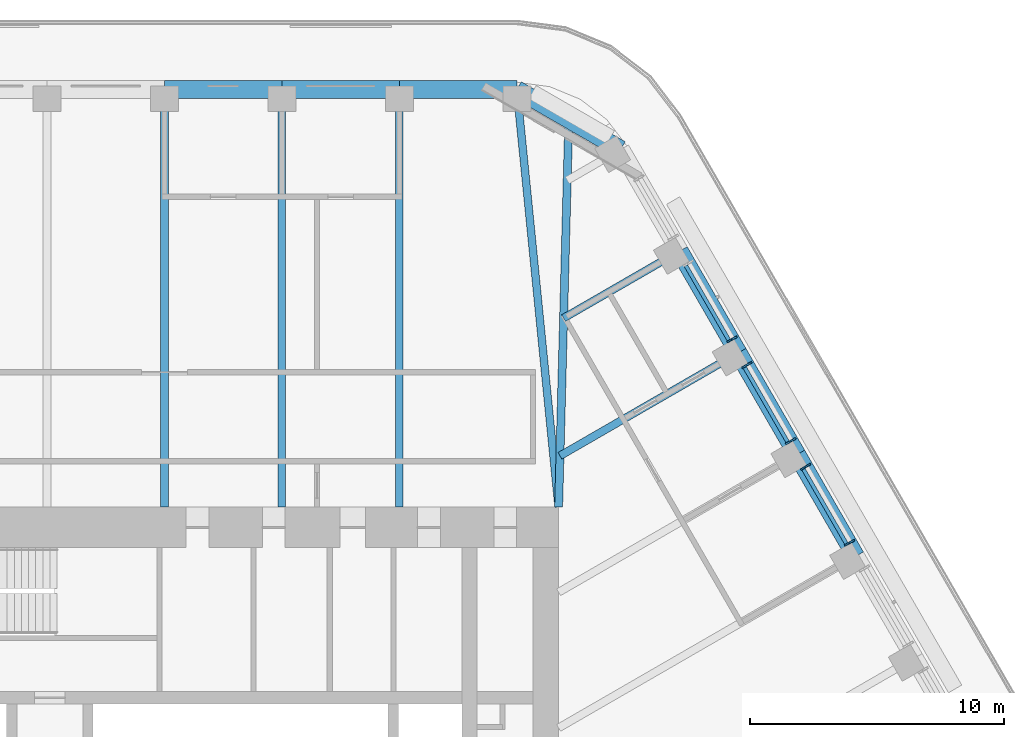
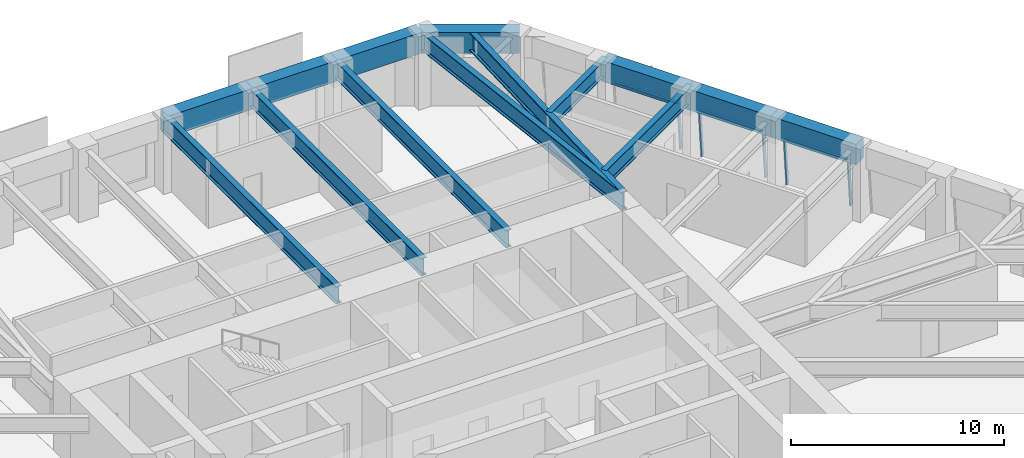
# One storey, part 11 of 20: 14 beams, 8 members, 3 elements without a shape of their own.
"""IFC4 building model written with IfcOpenShell, lengths in metres."""

from ifc_helpers import new_model, si_unit, direction, frame, origin, origin_2d, place, context, subcontext, project, spatial, rectangle, i_section, extrude, material, material_profile, profile_set, type_object, element, aggregate, save


model = new_model("IFC4")

# Units and contexts
model_context = context("Model", 3, precision=1e-05, world=origin(), true_north=direction((0.0, 1.0)))
body_context = subcontext(model_context, "Body", "Model", "MODEL_VIEW")
ifc_project = project(units=[si_unit("LENGTHUNIT", "METRE"), si_unit("AREAUNIT", "SQUARE_METRE"), si_unit("VOLUMEUNIT", "CUBIC_METRE"), si_unit("PLANEANGLEUNIT", "RADIAN"), si_unit("MASSUNIT", "GRAM", prefix="KILO")], contexts=[model_context])

# Site, building, storey
site_placement = place(None, origin())
site = spatial("IfcSite", under=ifc_project, at=site_placement, CompositionType="ELEMENT")
building_placement = place(site_placement, origin())
building = spatial("IfcBuilding", under=site, at=building_placement, Name="Tarfa Lantern Tower", CompositionType="ELEMENT")
storey_placement = place(building_placement, frame((0.0, 0.0, 291.10009765625)))
storey = spatial("IfcBuildingStorey", under=building, at=storey_placement, Name="L66", CompositionType="ELEMENT", Elevation=291.10009765625)

# Curtain wall, members
ifc_material_1 = material(Name="Aluminium framed curtain wall", Category="aluminium")
curtain_wall_type = type_object("IfcCurtainWallType", Name="CW3 CANTED GLAZING HIGH ZONE 2800", PredefinedType="USERDEFINED", material=ifc_material_1)
curtain_wall_1_placement = place(storey_placement, origin())
curtain_wall_1 = element("IfcCurtainWall", 1, at=curtain_wall_1_placement, inside=storey, type_object=curtain_wall_type, Name="CW3 NE L66", ObjectType="CURTAIN WALL", PredefinedType="USERDEFINED")
ifc_material_2 = material(Name="Aluminium mullion", Category="aluminium")
ifc_material_profile_1 = material_profile(ifc_material_2, rectangle(XDim=0.06494140625, YDim=0.199951171875, at=origin_2d()), Name="AL MULLION 65x200")
ifc_profile_set_1 = profile_set([ifc_material_profile_1], Name="Aluminium mullion")
member_type_1 = type_object("IfcMemberType", Name="CWM1 MULLION 65x200", PredefinedType="MULLION", material=ifc_profile_set_1)
member_1_placement = place(storey_placement, frame((27.04638671875, 10.954345703125, 0.0), z_axis=(-0.077039050765, -0.044468989844, 0.996035889715), x_axis=(0.499919672301, -0.866071776036, 0.0)))
member_1 = element("IfcMember", 2, at=member_1_placement, type_object=member_type_1, Name="CW3 mullion 1", PredefinedType="MULLION", context=body_context, shape_type="SweptSolid", body=[
    extrude(rectangle(XDim=0.06494140625, YDim=0.199951171875, at=origin_2d()), origin(), (0.0, 0.0, 1.0), 2.81103515625),
])
member_2_placement = place(storey_placement, frame((25.3193359375, 13.945556640625, 0.0), z_axis=(-0.077039050765, -0.044468989844, 0.996035889715), x_axis=(0.499919672301, -0.866071776036, 0.0)))
member_2 = element("IfcMember", 3, at=member_2_placement, type_object=member_type_1, Name="CW3 mullion 2", PredefinedType="MULLION", context=body_context, shape_type="SweptSolid", body=[
    extrude(rectangle(XDim=0.06494140625, YDim=0.199951171875, at=origin_2d()), origin(), (0.0, 0.0, 1.0), 2.81103515625),
])

curtain_wall_2_placement = place(storey_placement, origin())
curtain_wall_2 = element("IfcCurtainWall", 4, at=curtain_wall_2_placement, inside=storey, type_object=curtain_wall_type, Name="CW3 NE L66", ObjectType="CURTAIN WALL", PredefinedType="USERDEFINED")
member_3_placement = place(storey_placement, frame((24.73681640625, 14.954345703125, 0.0), z_axis=(-0.077039050765, -0.044468989844, 0.996035889715), x_axis=(0.499919672301, -0.866071776036, 0.0)))
member_3 = element("IfcMember", 5, at=member_3_placement, type_object=member_type_1, Name="CW3 mullion 1", PredefinedType="MULLION", context=body_context, shape_type="SweptSolid", body=[
    extrude(rectangle(XDim=0.06494140625, YDim=0.199951171875, at=origin_2d()), origin(), (0.0, 0.0, 1.0), 2.81103515625),
])
member_4_placement = place(storey_placement, frame((23.010009765625, 17.945556640625, 0.0), z_axis=(-0.077039050765, -0.044468989844, 0.996035889715), x_axis=(0.499919672301, -0.866071776036, 0.0)))
member_4 = element("IfcMember", 6, at=member_4_placement, type_object=member_type_1, Name="CW3 mullion 2", PredefinedType="MULLION", context=body_context, shape_type="SweptSolid", body=[
    extrude(rectangle(XDim=0.06494140625, YDim=0.199951171875, at=origin_2d()), origin(), (0.0, 0.0, 1.0), 2.81103515625),
])

# Curtain wall, member
curtain_wall_3_placement = place(storey_placement, origin())
curtain_wall_3 = element("IfcCurtainWall", 7, at=curtain_wall_3_placement, inside=storey, type_object=curtain_wall_type, Name="CW3 NE L66", ObjectType="CURTAIN WALL", PredefinedType="USERDEFINED")
member_5_placement = place(storey_placement, frame((22.427490234375, 18.954345703125, 0.0), z_axis=(-0.077039050765, -0.044468989844, 0.996035889715), x_axis=(0.499919672301, -0.866071776036, 0.0)))
member_5 = element("IfcMember", 8, at=member_5_placement, type_object=member_type_1, Name="CW3 mullion 1", PredefinedType="MULLION", context=body_context, shape_type="SweptSolid", body=[
    extrude(rectangle(XDim=0.06494140625, YDim=0.199951171875, at=origin_2d()), origin(), (0.0, 0.0, 1.0), 2.81103515625),
])

# Member
ifc_material_3 = material(Name="Aluminium transom", Category="aluminium")
ifc_material_profile_2 = material_profile(ifc_material_3, rectangle(XDim=0.14990234375, YDim=0.06494140625, at=origin_2d()), Name="AL TRANSOM 150x65")
ifc_profile_set_2 = profile_set([ifc_material_profile_2], Name="Aluminium transom")
member_type_2 = type_object("IfcMemberType", Name="CWT1 TRANSOM 150x65", PredefinedType="USERDEFINED", material=ifc_profile_set_2)
member_6_placement = place(storey_placement, frame((26.816162109375, 10.859130859375, 2.767333984375), z_axis=(-0.500036330578, 0.866004427299, 0.0), x_axis=(-0.866004427299, -0.500036330578, 0.0)))
member_6 = element("IfcMember", 9, at=member_6_placement, type_object=member_type_2, Name="CW3 transom 1.2", ObjectType="TRANSOM", PredefinedType="USERDEFINED", context=body_context, shape_type="SweptSolid", body=[
    extrude(rectangle(XDim=0.14990234375, YDim=0.06494140625, at=origin_2d()), origin(), (0.0, 0.0, 1.0), 3.388916015625),
])

aggregate(curtain_wall_1, [member_1, member_2, member_6])

member_7_placement = place(storey_placement, frame((24.506591796875, 14.859130859375, 2.767333984375), z_axis=(-0.499982299553, 0.866035622901, 0.0), x_axis=(-0.866035622901, -0.499982299553, 0.0)))
member_7 = element("IfcMember", 10, at=member_7_placement, type_object=member_type_2, Name="CW3 transom 1.2", ObjectType="TRANSOM", PredefinedType="USERDEFINED", context=body_context, shape_type="SweptSolid", body=[
    extrude(rectangle(XDim=0.14990234375, YDim=0.06494140625, at=origin_2d()), origin(), (0.0, 0.0, 1.0), 3.388671875),
])

aggregate(curtain_wall_2, [member_3, member_4, member_7])

member_8_placement = place(storey_placement, frame((22.197265625, 18.859130859375, 2.767333984375), z_axis=(-0.499982299553, 0.866035622901, 0.0), x_axis=(-0.866035622901, -0.499982299553, 0.0)))
member_8 = element("IfcMember", 11, at=member_8_placement, type_object=member_type_2, Name="CW3 transom 1.2", ObjectType="TRANSOM", PredefinedType="USERDEFINED", context=body_context, shape_type="SweptSolid", body=[
    extrude(rectangle(XDim=0.14990234375, YDim=0.06494140625, at=origin_2d()), origin(), (0.0, 0.0, 1.0), 3.388671875),
])

aggregate(curtain_wall_3, [member_5, member_8])

# Beams
ifc_material_4 = material(Name="Concrete C80/95", Category="concrete")
ifc_material_profile_3 = material_profile(ifc_material_4, rectangle(XDim=0.699951171875, YDim=1.199951171875, at=origin_2d()), Name="RC 700x1200")
ifc_profile_set_3 = profile_set([ifc_material_profile_3], Name="Concrete C80/95")
beam_type_1 = type_object("IfcBeamType", Name="EB3 RC 700x1200", PredefinedType="SPANDREL", material=ifc_profile_set_3)
beam_1_placement = place(storey_placement, frame((27.181640625, 10.360107421875, 3.39990234375), z_axis=(-0.499987836815, 0.866032426089, 0.0), x_axis=(-0.866032426089, -0.499987836815, 0.0)))
element("IfcBeam", 12, at=beam_1_placement, inside=storey, type_object=beam_type_1, Name="Edge beam NE2", PredefinedType="SPANDREL", context=body_context, shape_type="SweptSolid", body=[
    extrude(rectangle(XDim=0.699951171875, YDim=1.199951171875, at=origin_2d()), origin(), (0.0, 0.0, 1.0), 4.61865234375),
])
beam_2_placement = place(storey_placement, frame((24.872314453125, 14.360107421875, 3.39990234375), z_axis=(-0.500027479704, 0.866009537788, 0.0), x_axis=(-0.866009537788, -0.500027479704, 0.0)))
element("IfcBeam", 13, at=beam_2_placement, inside=storey, type_object=beam_type_1, Name="Edge beam NE3", PredefinedType="SPANDREL", context=body_context, shape_type="SweptSolid", body=[
    extrude(rectangle(XDim=0.699951171875, YDim=1.199951171875, at=origin_2d()), origin(), (0.0, 0.0, 1.0), 4.618896484375),
])
beam_3_placement = place(storey_placement, frame((22.562744140625, 18.360107421875, 3.39990234375), z_axis=(-0.499987836815, 0.866032426089, 0.0), x_axis=(-0.866032426089, -0.499987836815, 0.0)))
element("IfcBeam", 14, at=beam_3_placement, inside=storey, type_object=beam_type_1, Name="Edge beam NE4", PredefinedType="SPANDREL", context=body_context, shape_type="SweptSolid", body=[
    extrude(rectangle(XDim=0.699951171875, YDim=1.199951171875, at=origin_2d()), origin(), (0.0, 0.0, 1.0), 4.61865234375),
])
beam_4_placement = place(storey_placement, frame((17.944091796875, 26.360107421875, 3.39990234375), z_axis=(-0.866038294681, 0.499977671647, 0.0), x_axis=(-0.499977671647, -0.866038294681, 0.0)))
element("IfcBeam", 15, at=beam_4_placement, inside=storey, type_object=beam_type_1, Name="Edge beam NE6", PredefinedType="SPANDREL", context=body_context, shape_type="SweptSolid", body=[
    extrude(rectangle(XDim=0.699951171875, YDim=1.199951171875, at=origin_2d()), origin(), (0.0, 0.0, 1.0), 4.719970703125),
])
beam_5_placement = place(storey_placement, frame((13.8564453125, 28.719970703125, 3.39990234375), z_axis=(-1.0, 0.0, 0.0), x_axis=(0.0, -1.0, 0.0)))
element("IfcBeam", 16, at=beam_5_placement, inside=storey, type_object=beam_type_1, Name="Edge beam N0", PredefinedType="SPANDREL", context=body_context, shape_type="SweptSolid", body=[
    extrude(rectangle(XDim=0.699951171875, YDim=1.199951171875, at=origin_2d()), origin(), (0.0, 0.0, 1.0), 4.618896484375),
])
beam_6_placement = place(storey_placement, frame((9.237548828125, 28.719970703125, 3.39990234375), z_axis=(-1.0, 0.0, 0.0), x_axis=(0.0, -1.0, 0.0)))
element("IfcBeam", 17, at=beam_6_placement, inside=storey, type_object=beam_type_1, Name="Edge beam N1", PredefinedType="SPANDREL", context=body_context, shape_type="SweptSolid", body=[
    extrude(rectangle(XDim=0.699951171875, YDim=1.199951171875, at=origin_2d()), origin(), (0.0, 0.0, 1.0), 4.61865234375),
])
beam_7_placement = place(storey_placement, frame((4.618896484375, 28.719970703125, 3.39990234375), z_axis=(-1.0, 0.0, 0.0), x_axis=(0.0, -1.0, 0.0)))
element("IfcBeam", 18, at=beam_7_placement, inside=storey, type_object=beam_type_1, Name="Edge beam N2", PredefinedType="SPANDREL", context=body_context, shape_type="SweptSolid", body=[
    extrude(rectangle(XDim=0.699951171875, YDim=1.199951171875, at=origin_2d()), origin(), (0.0, 0.0, 1.0), 4.618896484375),
])
ifc_material_5 = material(Name="Steel S460M", Category="steel")
ifc_material_profile_4 = material_profile(ifc_material_5, i_section(OverallWidth=0.302001953125, OverallDepth=1.008056640625, WebThickness=0.02099609375, FlangeThickness=0.0400390625, FilletRadius=0.030029296875, at=origin_2d()), Name="UB1016x305x349")
ifc_profile_set_4 = profile_set([ifc_material_profile_4], Name="Steel S460M")
beam_type_2 = type_object("IfcBeamType", Name="UB1016x305x349", PredefinedType="BEAM", material=ifc_profile_set_4)
beam_8_placement = place(storey_placement, frame((13.8564453125, 28.719970703125, 3.495849609375), z_axis=(0.099597466746, -0.995027810977, 0.0), x_axis=(0.995027810977, 0.099597466746, 0.0)))
element("IfcBeam", 19, at=beam_8_placement, inside=storey, type_object=beam_type_2, Name="Floor beam N0", PredefinedType="BEAM", context=body_context, shape_type="SweptSolid", body=[
    extrude(i_section(OverallWidth=0.302001953125, OverallDepth=1.008056640625, WebThickness=0.02099609375, FlangeThickness=0.0400390625, FilletRadius=0.030029296875, at=origin_2d()), origin(), (0.0, 0.0, 1.0), 16.501953125),
])
for number, where, z_axis, x_axis, name in (
    (20, (9.237548828125, 28.719970703125, 3.495849609375), (0.0, -1.0, 0.0), (1.0, 0.0, 0.0), "Floor beam N1"),
    (21, (4.618896484375, 28.719970703125, 3.495849609375), (0.0, -1.0, 0.0), (1.0, 0.0, 0.0), "Floor beam N2"),
    (22, (0.0, 28.719970703125, 3.495849609375), (0.0, -1.0, 0.0), (1.0, 0.0, 0.0), "Floor beam N3"),
):
    element("IfcBeam", number, at=place(storey_placement, frame(where, z_axis=z_axis, x_axis=x_axis)), inside=storey, type_object=beam_type_2, Name=name, PredefinedType="BEAM", context=body_context, shape_type="SweptSolid", body=[
        extrude(i_section(OverallWidth=0.302001953125, OverallDepth=1.008056640625, WebThickness=0.02099609375, FlangeThickness=0.0400390625, FilletRadius=0.030029296875, at=origin_2d()), origin(), (0.0, 0.0, 1.0), 16.419921875),
    ])
ifc_material_profile_5 = material_profile(ifc_material_5, i_section(OverallWidth=0.314208984375, OverallDepth=1.055908203125, WebThickness=0.035888671875, FlangeThickness=0.06396484375, FilletRadius=0.030029296875, at=origin_2d()), Name="UB1016x305x584")
ifc_profile_set_5 = profile_set([ifc_material_profile_5], Name="Steel S460M")
beam_type_3 = type_object("IfcBeamType", Name="UB1016x305x584", PredefinedType="BEAM", material=ifc_profile_set_5)
beam_9_placement = place(storey_placement, frame((15.5, 12.300048828125, 3.471923828125), z_axis=(0.026247301989, 0.999655480222, 0.0), x_axis=(-0.999655480222, 0.026247301989, 0.0)))
element("IfcBeam", 23, at=beam_9_placement, inside=storey, type_object=beam_type_3, Name="Hip girder NE", PredefinedType="BEAM", context=body_context, shape_type="SweptSolid", body=[
    extrude(i_section(OverallWidth=0.314208984375, OverallDepth=1.055908203125, WebThickness=0.035888671875, FlangeThickness=0.06396484375, FilletRadius=0.030029296875, at=origin_2d()), origin(), (0.0, 0.0, 1.0), 15.245361328125),
])
ifc_material_profile_6 = material_profile(ifc_material_5, i_section(OverallWidth=0.305419921875, OverallDepth=0.91845703125, WebThickness=0.017333984375, FlangeThickness=0.02783203125, FilletRadius=0.01904296875, at=origin_2d()), Name="UB914x305x253")
ifc_profile_set_6 = profile_set([ifc_material_profile_6], Name="Steel S460M")
beam_type_4 = type_object("IfcBeamType", Name="UB914x305x253", PredefinedType="BEAM", material=ifc_profile_set_6)
beam_10_placement = place(storey_placement, frame((22.562744140625, 18.360107421875, 3.540771484375), z_axis=(-0.866010787764, -0.500025314835, 0.0), x_axis=(0.500025314835, -0.866010787764, 0.0)))
element("IfcBeam", 24, at=beam_10_placement, inside=storey, type_object=beam_type_4, Name="Floor beam NE4", PredefinedType="BEAM", context=body_context, shape_type="SweptSolid", body=[
    extrude(i_section(OverallWidth=0.305419921875, OverallDepth=0.91845703125, WebThickness=0.017333984375, FlangeThickness=0.02783203125, FilletRadius=0.01904296875, at=origin_2d()), origin(), (0.0, 0.0, 1.0), 8.09423828125),
])
beam_11_placement = place(storey_placement, frame((20.25341796875, 22.360107421875, 3.540771484375), z_axis=(-0.86601951648, -0.500010196972, 0.0), x_axis=(0.500010196972, -0.86601951648, 0.0)))
element("IfcBeam", 25, at=beam_11_placement, inside=storey, type_object=beam_type_4, Name="Floor beam NE5", PredefinedType="BEAM", context=body_context, shape_type="SweptSolid", body=[
    extrude(i_section(OverallWidth=0.305419921875, OverallDepth=0.91845703125, WebThickness=0.017333984375, FlangeThickness=0.02783203125, FilletRadius=0.01904296875, at=origin_2d()), origin(), (0.0, 0.0, 1.0), 5.263671875),
])

save(model, "model.ifc")
